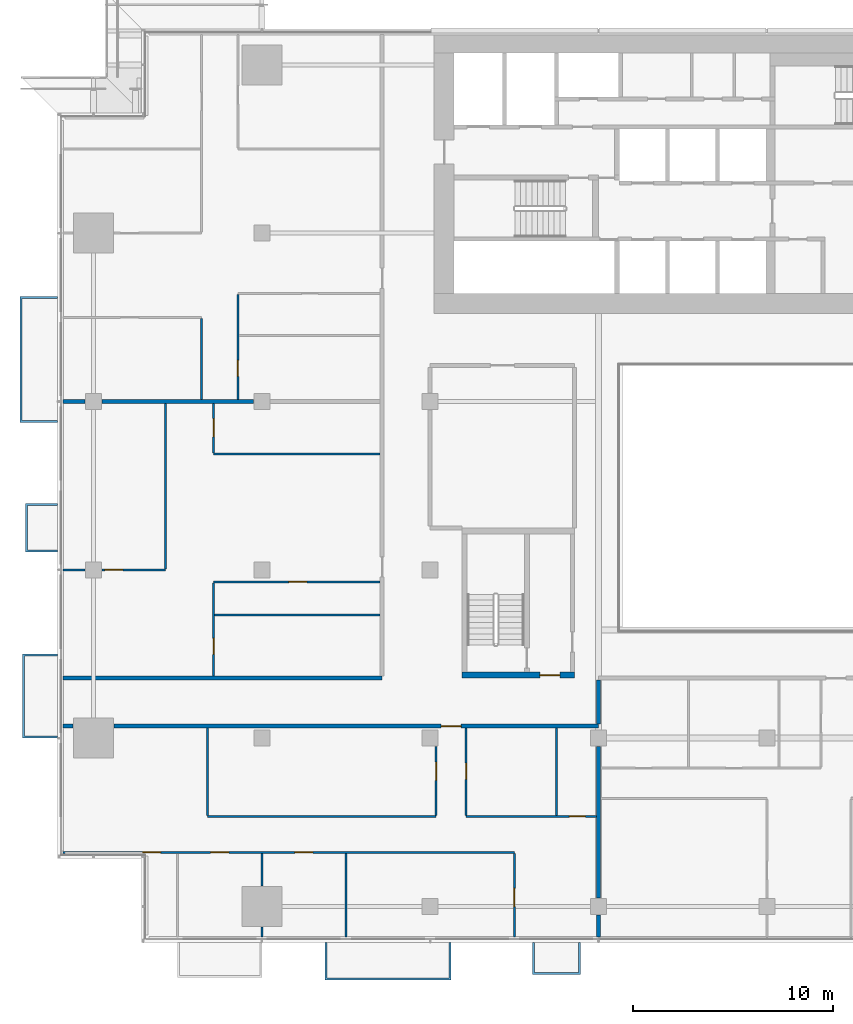
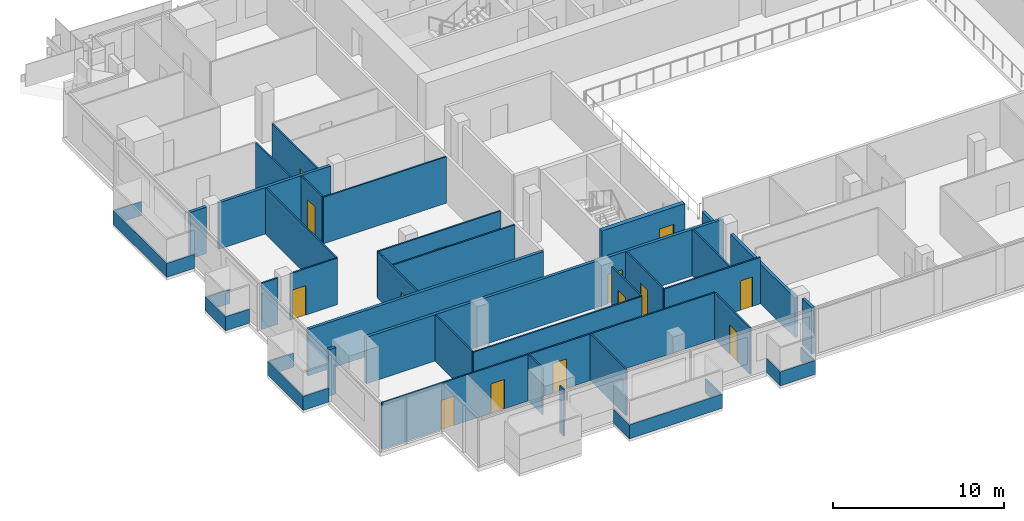
# One storey, part 17 of 29: 35 walls, 14 doors, 14 openings.
"""IFC4 building model written with IfcOpenShell, lengths in metres."""

from ifc_helpers import new_model, si_unit, direction, frame, frame_2d, origin, place, context, subcontext, project, spatial, polyline, rectangle, outline, extrude, material, layer, layer_set, type_object, element, fill, save


model = new_model("IFC4")

# Units and contexts
model_context = context("Model", 3, precision=1e-05, world=origin(), true_north=direction((0.0, 1.0)))
body_context = subcontext(model_context, "Body", "Model", "MODEL_VIEW")
ifc_project = project(units=[si_unit("LENGTHUNIT", "METRE"), si_unit("AREAUNIT", "SQUARE_METRE"), si_unit("VOLUMEUNIT", "CUBIC_METRE"), si_unit("PLANEANGLEUNIT", "RADIAN"), si_unit("MASSUNIT", "GRAM", prefix="KILO")], contexts=[model_context])

# Site, building, storey
site_placement = place(None, origin())
site = spatial("IfcSite", under=ifc_project, at=site_placement, CompositionType="ELEMENT")
building_placement = place(site_placement, origin())
building = spatial("IfcBuilding", under=site, at=building_placement, Name="Saffron Gate Tower", CompositionType="ELEMENT")
storey_placement = place(building_placement, frame((0.0, 0.0, 106.050048828125)))
storey = spatial("IfcBuildingStorey", under=building, at=storey_placement, Name="L24", CompositionType="ELEMENT", Elevation=106.050048828125)

# Wall, opening, door
ifc_material_1 = material(Name="Concrete C70", Category="concrete")
ifc_layer_1 = layer(ifc_material_1, 0.300048828125)
ifc_layer_set_1 = layer_set([ifc_layer_1], Name="CW5 RC core wall 300 C70")
wall_type_1 = type_object("IfcWallType", Name="CW5 RC core wall 300 C70", PredefinedType="SOLIDWALL", material=ifc_layer_set_1)
wall_1_placement = place(storey_placement, frame((68.199951171875, 43.35009765625, 0.0), z_axis=(0.0, 0.0, 1.0), x_axis=(1.0, 0.0, 0.0)))
wall_1 = element("IfcWall", 1, at=wall_1_placement, inside=storey, type_object=wall_type_1, Name="Wall CW5-L24-D-1", PredefinedType="SOLIDWALL", context=body_context, shape_type="SweptSolid", body=[
    extrude(rectangle(XDim=5.60009765625, YDim=0.300048828125, at=frame_2d((2.800048828125, 0.0))), origin(), (0.0, 0.0, 1.0), 3.320068359375),
])
opening_1_placement = place(wall_1_placement, frame((3.875, 0.0, 0.0)))
opening_1 = element("IfcOpeningElement", 2, at=opening_1_placement, cuts=wall_1, Name="Opening CR-18", PredefinedType="OPENING", context=body_context, shape_type="SweptSolid", body=[
    extrude(rectangle(XDim=1.0, YDim=2.10009765625, at=frame_2d((0.5, 1.050048828125))), frame((0.0, 0.16015625, 0.0), z_axis=(0.0, -1.0, 0.0), x_axis=(1.0, 0.0, 0.0)), (0.0, 0.0, 1.0), 0.320068359375),
])
ifc_material_2 = material(Name="Steel fire door set", Category="steel")
door_type_1 = type_object("IfcDoorType", Name="CD4 Lobby door 1000x2100 EI 120", OperationType="NOTDEFINED", PredefinedType="DOOR", material=ifc_material_2)
door_1_placement = place(opening_1_placement, origin())
door_1 = element("IfcDoor", 3, at=door_1_placement, inside=storey, type_object=door_type_1, Name="DOOR CR-18", OperationType="SINGLE_SWING_RIGHT", OverallHeight=2.10009765625, OverallWidth=1.0, PredefinedType="DOOR", context=body_context, shape_type="SweptSolid", body=[
    extrude(rectangle(XDim=1.0, YDim=2.10009765625, at=frame_2d((0.5, 1.050048828125))), frame((0.0, 0.02490234375, 0.0), z_axis=(0.0, -1.0, 0.0), x_axis=(1.0, 0.0, 0.0)), (0.0, 0.0, 1.0), 0.050048828125),
])
fill(opening_1, door_1)

# Wall, openings, doors
ifc_material_3 = material(Name="Plasterboard on steel studs", Category="steel")
ifc_layer_2 = layer(ifc_material_3, 0.10009765625)
ifc_layer_set_2 = layer_set([ifc_layer_2], Name="PW1 Partition 100")
wall_type_2 = type_object("IfcWallType", Name="PW1 Partition 100", PredefinedType="PARTITIONING", material=ifc_layer_set_2)
wall_2_placement = place(storey_placement, frame((70.800048828125, 34.5, 0.0), z_axis=(0.0, 0.0, 1.0), x_axis=(-1.0, 0.0, 0.0)))
wall_2 = element("IfcWall", 4, at=wall_2_placement, inside=storey, type_object=wall_type_2, Name="Partition B2-1", PredefinedType="PARTITIONING", context=body_context, shape_type="SweptSolid", body=[
    extrude(rectangle(XDim=22.52001953125, YDim=0.10009765625, at=frame_2d((11.260009765625, 0.0))), origin(), (0.0, 0.0, 1.0), 3.320068359375),
])
opening_2_placement = place(wall_2_placement, frame((10.050048828125, 0.0, 0.0)))
opening_2 = element("IfcOpeningElement", 5, at=opening_2_placement, cuts=wall_2, Name="Opening B2-10", PredefinedType="OPENING", context=body_context, shape_type="SweptSolid", body=[
    extrude(rectangle(XDim=0.89990234375, YDim=2.10009765625, at=frame_2d((0.449951171875, 1.050048828125))), frame((0.0, 0.06005859375, 0.0), z_axis=(0.0, -1.0, 0.0), x_axis=(1.0, 0.0, 0.0)), (0.0, 0.0, 1.0), 0.1201171875),
])
opening_3_placement = place(wall_2_placement, frame((14.25, 0.0, 0.0)))
opening_3 = element("IfcOpeningElement", 6, at=opening_3_placement, cuts=wall_2, Name="Opening B2-9", PredefinedType="OPENING", context=body_context, shape_type="SweptSolid", body=[
    extrude(rectangle(XDim=0.89990234375, YDim=2.10009765625, at=frame_2d((0.449951171875, 1.050048828125))), frame((0.0, 0.06005859375, 0.0), z_axis=(0.0, -1.0, 0.0), x_axis=(1.0, 0.0, 0.0)), (0.0, 0.0, 1.0), 0.1201171875),
])
opening_4_placement = place(wall_2_placement, frame((17.65380859375, 0.0, 0.0)))
opening_4 = element("IfcOpeningElement", 7, at=opening_4_placement, cuts=wall_2, Name="Opening B2-8", PredefinedType="OPENING", context=body_context, shape_type="SweptSolid", body=[
    extrude(rectangle(XDim=0.89990234375, YDim=2.10009765625, at=frame_2d((0.449951171875, 1.050048828125))), frame((0.0, 0.06005859375, 0.0), z_axis=(0.0, -1.0, 0.0), x_axis=(1.0, 0.0, 0.0)), (0.0, 0.0, 1.0), 0.1201171875),
])
ifc_material_4 = material(Name="Timber door set", Category="wood")
door_type_2 = type_object("IfcDoorType", Name="RD1 Room door 900x2100", OperationType="NOTDEFINED", PredefinedType="DOOR", material=ifc_material_4)
door_2_placement = place(opening_2_placement, origin())
door_2 = element("IfcDoor", 8, at=door_2_placement, inside=storey, type_object=door_type_2, Name="Door B2-10", OperationType="SINGLE_SWING_RIGHT", OverallHeight=2.10009765625, OverallWidth=0.89990234375, PredefinedType="DOOR", context=body_context, shape_type="SweptSolid", body=[
    extrude(rectangle(XDim=0.89990234375, YDim=2.10009765625, at=frame_2d((0.449951171875, 1.050048828125))), frame((0.0, 0.02490234375, 0.0), z_axis=(0.0, -1.0, 0.0), x_axis=(1.0, 0.0, 0.0)), (0.0, 0.0, 1.0), 0.050048828125),
])
fill(opening_2, door_2)
door_3_placement = place(opening_3_placement, origin())
door_3 = element("IfcDoor", 9, at=door_3_placement, inside=storey, type_object=door_type_2, Name="Door B2-9", OperationType="SINGLE_SWING_RIGHT", OverallHeight=2.10009765625, OverallWidth=0.89990234375, PredefinedType="DOOR", context=body_context, shape_type="SweptSolid", body=[
    extrude(rectangle(XDim=0.89990234375, YDim=2.10009765625, at=frame_2d((0.449951171875, 1.050048828125))), frame((0.0, 0.02490234375, 0.0), z_axis=(0.0, -1.0, 0.0), x_axis=(1.0, 0.0, 0.0)), (0.0, 0.0, 1.0), 0.050048828125),
])
fill(opening_3, door_3)
door_4_placement = place(opening_4_placement, origin())
door_4 = element("IfcDoor", 10, at=door_4_placement, inside=storey, type_object=door_type_2, Name="Door B2-8", OperationType="SINGLE_SWING_LEFT", OverallHeight=2.10009765625, OverallWidth=0.89990234375, PredefinedType="DOOR", context=body_context, shape_type="SweptSolid", body=[
    extrude(rectangle(XDim=0.89990234375, YDim=2.10009765625, at=frame_2d((0.449951171875, 1.050048828125))), frame((0.0, 0.02490234375, 0.0), z_axis=(0.0, -1.0, 0.0), x_axis=(1.0, 0.0, 0.0)), (0.0, 0.0, 1.0), 0.050048828125),
])
fill(opening_4, door_4)

# Wall
wall_3_placement = place(storey_placement, frame((55.5, 36.300048828125, 0.0), z_axis=(0.0, 0.0, 1.0), x_axis=(1.0, 0.0, 0.0)))
element("IfcWall", 11, at=wall_3_placement, inside=storey, type_object=wall_type_2, Name="Partition B2-3", PredefinedType="PARTITIONING", context=body_context, shape_type="SweptSolid", body=[
    extrude(rectangle(XDim=11.39990234375, YDim=0.10009765625, at=frame_2d((5.699951171875, 0.0))), origin(), (0.0, 0.0, 1.0), 3.320068359375),
])

# Wall, opening, door
wall_4_placement = place(storey_placement, frame((68.39990234375, 36.300048828125, 0.0), z_axis=(0.0, 0.0, 1.0), x_axis=(1.0, 0.0, 0.0)))
wall_4 = element("IfcWall", 12, at=wall_4_placement, inside=storey, type_object=wall_type_2, Name="Partition B2-4", PredefinedType="PARTITIONING", context=body_context, shape_type="SweptSolid", body=[
    extrude(rectangle(XDim=6.5, YDim=0.10009765625, at=frame_2d((3.25, 0.0))), origin(), (0.0, 0.0, 1.0), 3.320068359375),
])
opening_5_placement = place(wall_4_placement, frame((5.14990234375, 0.0, 0.0)))
opening_5 = element("IfcOpeningElement", 13, at=opening_5_placement, cuts=wall_4, Name="Opening B2-37", PredefinedType="OPENING", context=body_context, shape_type="SweptSolid", body=[
    extrude(rectangle(XDim=0.800048828125, YDim=2.10009765625, at=frame_2d((0.39990234375, 1.050048828125))), frame((0.0, 0.06005859375, 0.0), z_axis=(0.0, -1.0, 0.0), x_axis=(1.0, 0.0, 0.0)), (0.0, 0.0, 1.0), 0.1201171875),
])
door_type_3 = type_object("IfcDoorType", Name="RD2 Bathroom door 800x2100", OperationType="NOTDEFINED", PredefinedType="DOOR", material=ifc_material_4)
door_5_placement = place(opening_5_placement, origin())
door_5 = element("IfcDoor", 14, at=door_5_placement, inside=storey, type_object=door_type_3, Name="Door B2-37", OperationType="SINGLE_SWING_RIGHT", OverallHeight=2.10009765625, OverallWidth=0.800048828125, PredefinedType="DOOR", context=body_context, shape_type="SweptSolid", body=[
    extrude(rectangle(XDim=0.800048828125, YDim=2.10009765625, at=frame_2d((0.39990234375, 1.050048828125))), frame((0.0, 0.02490234375, 0.0), z_axis=(0.0, -1.0, 0.0), x_axis=(1.0, 0.0, 0.0)), (0.0, 0.0, 1.0), 0.050048828125),
])
fill(opening_5, door_5)

# Wall
wall_5_placement = place(storey_placement, frame((55.85009765625, 46.354736328125, 0.0), z_axis=(0.0, 0.0, 1.0), x_axis=(1.0, 0.0, 0.0)))
element("IfcWall", 15, at=wall_5_placement, inside=storey, type_object=wall_type_2, Name="Partition B2-16", PredefinedType="PARTITIONING", context=body_context, shape_type="SweptSolid", body=[
    extrude(rectangle(XDim=8.25, YDim=0.10009765625, at=frame_2d((4.125, 0.0))), origin(), (0.0, 0.0, 1.0), 3.320068359375),
])

# Wall, opening, door
wall_6_placement = place(storey_placement, frame((64.10009765625, 48.0, 0.0), z_axis=(0.0, 0.0, 1.0), x_axis=(-1.0, 0.0, 0.0)))
wall_6 = element("IfcWall", 16, at=wall_6_placement, inside=storey, type_object=wall_type_2, Name="Partition B2-18", PredefinedType="PARTITIONING", context=body_context, shape_type="SweptSolid", body=[
    extrude(rectangle(XDim=8.300048828125, YDim=0.10009765625, at=frame_2d((4.14990234375, 0.0))), origin(), (0.0, 0.0, 1.0), 3.320068359375),
])
opening_6_placement = place(wall_6_placement, frame((3.64990234375, 0.0, 0.0)))
opening_6 = element("IfcOpeningElement", 17, at=opening_6_placement, cuts=wall_6, Name="Opening B2-25", PredefinedType="OPENING", context=body_context, shape_type="SweptSolid", body=[
    extrude(rectangle(XDim=0.89990234375, YDim=2.10009765625, at=frame_2d((0.449951171875, 1.050048828125))), frame((0.0, 0.06005859375, 0.0), z_axis=(0.0, -1.0, 0.0), x_axis=(1.0, 0.0, 0.0)), (0.0, 0.0, 1.0), 0.1201171875),
])
door_6_placement = place(opening_6_placement, origin())
door_6 = element("IfcDoor", 18, at=door_6_placement, inside=storey, type_object=door_type_2, Name="Door B2-25", OperationType="SINGLE_SWING_LEFT", OverallHeight=2.10009765625, OverallWidth=0.89990234375, PredefinedType="DOOR", context=body_context, shape_type="SweptSolid", body=[
    extrude(rectangle(XDim=0.89990234375, YDim=2.10009765625, at=frame_2d((0.449951171875, 1.050048828125))), frame((0.0, 0.02490234375, 0.0), z_axis=(0.0, -1.0, 0.0), x_axis=(1.0, 0.0, 0.0)), (0.0, 0.0, 1.0), 0.050048828125),
])
fill(opening_6, door_6)

# Wall
wall_7_placement = place(storey_placement, frame((48.280029296875, 48.60009765625, 0.0), z_axis=(0.0, 0.0, 1.0), x_axis=(1.0, 0.0, 0.0)))
element("IfcWall", 19, at=wall_7_placement, inside=storey, type_object=wall_type_2, Name="Partition B2-19", PredefinedType="PARTITIONING", context=body_context, shape_type="SweptSolid", body=[
    extrude(rectangle(XDim=1.099853515625, YDim=0.10009765625, at=frame_2d((0.5498046875, 0.0))), origin(), (0.0, 0.0, 1.0), 3.320068359375),
])

# Wall, opening, door
wall_8_placement = place(storey_placement, frame((50.219970703125, 48.60009765625, 0.0), z_axis=(0.0, 0.0, 1.0), x_axis=(1.0, 0.0, 0.0)))
wall_8 = element("IfcWall", 20, at=wall_8_placement, inside=storey, type_object=wall_type_2, Name="Partition B2-20", PredefinedType="PARTITIONING", context=body_context, shape_type="SweptSolid", body=[
    extrude(rectangle(XDim=3.179931640625, YDim=0.10009765625, at=frame_2d((1.58984375, 0.0))), origin(), (0.0, 0.0, 1.0), 3.320068359375),
])
opening_7_placement = place(wall_8_placement, frame((0.14990234375, 0.0, 0.0)))
opening_7 = element("IfcOpeningElement", 21, at=opening_7_placement, cuts=wall_8, Name="Opening B2-23", PredefinedType="OPENING", context=body_context, shape_type="SweptSolid", body=[
    extrude(rectangle(XDim=0.89990234375, YDim=2.10009765625, at=frame_2d((0.449951171875, 1.050048828125))), frame((0.0, 0.06005859375, 0.0), z_axis=(0.0, -1.0, 0.0), x_axis=(1.0, 0.0, 0.0)), (0.0, 0.0, 1.0), 0.1201171875),
])
door_7_placement = place(opening_7_placement, origin())
door_7 = element("IfcDoor", 22, at=door_7_placement, inside=storey, type_object=door_type_2, Name="Door B2-23", OperationType="SINGLE_SWING_LEFT", OverallHeight=2.10009765625, OverallWidth=0.89990234375, PredefinedType="DOOR", context=body_context, shape_type="SweptSolid", body=[
    extrude(rectangle(XDim=0.89990234375, YDim=2.10009765625, at=frame_2d((0.449951171875, 1.050048828125))), frame((0.0, 0.02490234375, 0.0), z_axis=(0.0, -1.0, 0.0), x_axis=(1.0, 0.0, 0.0)), (0.0, 0.0, 1.0), 0.050048828125),
])
fill(opening_7, door_7)

# Walls
wall_9_placement = place(storey_placement, frame((55.800048828125, 54.381103515625, 0.0), z_axis=(0.0, 0.0, 1.0), x_axis=(1.0, 0.0, 0.0)))
element("IfcWall", 23, at=wall_9_placement, inside=storey, type_object=wall_type_2, Name="Partition B2-27", PredefinedType="PARTITIONING", context=body_context, shape_type="SweptSolid", body=[
    extrude(rectangle(XDim=8.300048828125, YDim=0.10009765625, at=frame_2d((4.14990234375, 0.0))), origin(), (0.0, 0.0, 1.0), 3.320068359375),
])
wall_10_placement = place(storey_placement, frame((53.39990234375, 56.89990234375, 0.0), z_axis=(0.0, 0.0, 1.0), x_axis=(0.0, -1.0, 0.0)))
element("IfcWall", 24, at=wall_10_placement, inside=storey, type_object=wall_type_2, Name="Partition B2-49", PredefinedType="PARTITIONING", context=body_context, shape_type="SweptSolid", body=[
    extrude(rectangle(XDim=8.25, YDim=0.10009765625, at=frame_2d((4.125, 0.0))), origin(), (0.0, 0.0, 1.0), 3.320068359375),
])
wall_11_placement = place(storey_placement, frame((55.199951171875, 61.14990234375, 0.0), z_axis=(0.0, 0.0, 1.0), x_axis=(0.0, -1.0, 0.0)))
element("IfcWall", 25, at=wall_11_placement, inside=storey, type_object=wall_type_2, Name="Partition B2-51", PredefinedType="PARTITIONING", context=body_context, shape_type="SweptSolid", body=[
    extrude(rectangle(XDim=4.0498046875, YDim=0.10009765625, at=frame_2d((2.02490234375, 0.0))), origin(), (0.0, 0.0, 1.0), 3.320068359375),
])
wall_12_placement = place(storey_placement, frame((55.5, 40.699951171875, 0.0), z_axis=(0.0, 0.0, 1.0), x_axis=(0.0, -1.0, 0.0)))
element("IfcWall", 26, at=wall_12_placement, inside=storey, type_object=wall_type_2, Name="Partition B2-53", PredefinedType="PARTITIONING", context=body_context, shape_type="SweptSolid", body=[
    extrude(rectangle(XDim=4.349853515625, YDim=0.10009765625, at=frame_2d((2.1748046875, 0.0))), origin(), (0.0, 0.0, 1.0), 3.320068359375),
])

# Wall, opening, door
wall_13_placement = place(storey_placement, frame((55.800048828125, 47.949951171875, 0.0), z_axis=(0.0, 0.0, 1.0), x_axis=(0.0, -1.0, 0.0)))
wall_13 = element("IfcWall", 27, at=wall_13_placement, inside=storey, type_object=wall_type_2, Name="Partition B2-54", PredefinedType="PARTITIONING", context=body_context, shape_type="SweptSolid", body=[
    extrude(rectangle(XDim=4.64990234375, YDim=0.10009765625, at=frame_2d((2.324951171875, 0.0))), origin(), (0.0, 0.0, 1.0), 3.320068359375),
])
opening_8_placement = place(wall_13_placement, frame((2.772705078125, 0.0, 0.0)))
opening_8 = element("IfcOpeningElement", 28, at=opening_8_placement, cuts=wall_13, Name="Opening B2-42", PredefinedType="OPENING", context=body_context, shape_type="SweptSolid", body=[
    extrude(rectangle(XDim=0.800048828125, YDim=2.10009765625, at=frame_2d((0.39990234375, 1.050048828125))), frame((0.0, 0.06005859375, 0.0), z_axis=(0.0, -1.0, 0.0), x_axis=(1.0, 0.0, 0.0)), (0.0, 0.0, 1.0), 0.1201171875),
])
door_8_placement = place(opening_8_placement, origin())
door_8 = element("IfcDoor", 29, at=door_8_placement, inside=storey, type_object=door_type_3, Name="Door B2-42", OperationType="SINGLE_SWING_RIGHT", OverallHeight=2.10009765625, OverallWidth=0.800048828125, PredefinedType="DOOR", context=body_context, shape_type="SweptSolid", body=[
    extrude(rectangle(XDim=0.800048828125, YDim=2.10009765625, at=frame_2d((0.39990234375, 1.050048828125))), frame((0.0, 0.02490234375, 0.0), z_axis=(0.0, -1.0, 0.0), x_axis=(1.0, 0.0, 0.0)), (0.0, 0.0, 1.0), 0.050048828125),
])
fill(opening_8, door_8)

wall_14_placement = place(storey_placement, frame((55.800048828125, 56.89990234375, 0.0), z_axis=(0.0, 0.0, 1.0), x_axis=(0.0, -1.0, 0.0)))
wall_14 = element("IfcWall", 30, at=wall_14_placement, inside=storey, type_object=wall_type_2, Name="Partition B2-55", PredefinedType="PARTITIONING", context=body_context, shape_type="SweptSolid", body=[
    extrude(rectangle(XDim=2.468994140625, YDim=0.10009765625, at=frame_2d((1.234375, 0.0))), origin(), (0.0, 0.0, 1.0), 3.320068359375),
])
opening_9_placement = place(wall_14_placement, frame((0.759521484375, 0.0, 0.0)))
opening_9 = element("IfcOpeningElement", 31, at=opening_9_placement, cuts=wall_14, Name="Opening B2-24", PredefinedType="OPENING", context=body_context, shape_type="SweptSolid", body=[
    extrude(rectangle(XDim=0.89990234375, YDim=2.10009765625, at=frame_2d((0.449951171875, 1.050048828125))), frame((0.0, 0.06005859375, 0.0), z_axis=(0.0, -1.0, 0.0), x_axis=(1.0, 0.0, 0.0)), (0.0, 0.0, 1.0), 0.1201171875),
])
door_9_placement = place(opening_9_placement, origin())
door_9 = element("IfcDoor", 32, at=door_9_placement, inside=storey, type_object=door_type_2, Name="Door B2-24", OperationType="SINGLE_SWING_LEFT", OverallHeight=2.10009765625, OverallWidth=0.89990234375, PredefinedType="DOOR", context=body_context, shape_type="SweptSolid", body=[
    extrude(rectangle(XDim=0.89990234375, YDim=2.10009765625, at=frame_2d((0.449951171875, 1.050048828125))), frame((0.0, 0.02490234375, 0.0), z_axis=(0.0, -1.0, 0.0), x_axis=(1.0, 0.0, 0.0)), (0.0, 0.0, 1.0), 0.050048828125),
])
fill(opening_9, door_9)

wall_15_placement = place(storey_placement, frame((57.0, 62.35009765625, 0.0), z_axis=(0.0, 0.0, 1.0), x_axis=(0.0, -1.0, 0.0)))
wall_15 = element("IfcWall", 33, at=wall_15_placement, inside=storey, type_object=wall_type_2, Name="Partition B2-56", PredefinedType="PARTITIONING", context=body_context, shape_type="SweptSolid", body=[
    extrude(rectangle(XDim=5.25, YDim=0.10009765625, at=frame_2d((2.625, 0.0))), origin(), (0.0, 0.0, 1.0), 3.320068359375),
])
opening_10_placement = place(wall_15_placement, frame((3.300048828125, 0.0, 0.0)))
opening_10 = element("IfcOpeningElement", 34, at=opening_10_placement, cuts=wall_15, Name="Opening B2-43", PredefinedType="OPENING", context=body_context, shape_type="SweptSolid", body=[
    extrude(rectangle(XDim=0.800048828125, YDim=2.10009765625, at=frame_2d((0.39990234375, 1.050048828125))), frame((0.0, 0.06005859375, 0.0), z_axis=(0.0, -1.0, 0.0), x_axis=(1.0, 0.0, 0.0)), (0.0, 0.0, 1.0), 0.1201171875),
])
door_10_placement = place(opening_10_placement, origin())
door_10 = element("IfcDoor", 35, at=door_10_placement, inside=storey, type_object=door_type_3, Name="Door B2-43", OperationType="SINGLE_SWING_RIGHT", OverallHeight=2.10009765625, OverallWidth=0.800048828125, PredefinedType="DOOR", context=body_context, shape_type="SweptSolid", body=[
    extrude(rectangle(XDim=0.800048828125, YDim=2.10009765625, at=frame_2d((0.39990234375, 1.050048828125))), frame((0.0, 0.02490234375, 0.0), z_axis=(0.0, -1.0, 0.0), x_axis=(1.0, 0.0, 0.0)), (0.0, 0.0, 1.0), 0.050048828125),
])
fill(opening_10, door_10)

# Walls
wall_16_placement = place(storey_placement, frame((58.199951171875, 30.780029296875, 0.0), z_axis=(0.0, 0.0, 1.0), x_axis=(0.0, -1.0, 0.0)))
element("IfcWall", 36, at=wall_16_placement, inside=storey, type_object=wall_type_2, Name="Partition B2-58", PredefinedType="PARTITIONING", context=body_context, shape_type="SweptSolid", body=[
    extrude(rectangle(XDim=0.5, YDim=0.10009765625, at=frame_2d((0.25, 0.0))), origin(), (0.0, 0.0, 1.0), 3.320068359375),
])
wall_17_placement = place(storey_placement, frame((58.199951171875, 34.449951171875, 0.0), z_axis=(0.0, 0.0, 1.0), x_axis=(0.0, -1.0, 0.0)))
element("IfcWall", 37, at=wall_17_placement, inside=storey, type_object=wall_type_2, Name="Partition B2-59", PredefinedType="PARTITIONING", context=body_context, shape_type="SweptSolid", body=[
    extrude(rectangle(XDim=1.6298828125, YDim=0.10009765625, at=frame_2d((0.81494140625, 0.0))), origin(), (0.0, 0.0, 1.0), 3.320068359375),
])
wall_18_placement = place(storey_placement, frame((62.39990234375, 34.449951171875, 0.0), z_axis=(0.0, 0.0, 1.0), x_axis=(0.0, -1.0, 0.0)))
element("IfcWall", 38, at=wall_18_placement, inside=storey, type_object=wall_type_2, Name="Partition B2-60", PredefinedType="PARTITIONING", context=body_context, shape_type="SweptSolid", body=[
    extrude(rectangle(XDim=4.169921875, YDim=0.10009765625, at=frame_2d((2.0849609375, 0.0))), origin(), (0.0, 0.0, 1.0), 3.320068359375),
])

# Wall, opening, door
wall_19_placement = place(storey_placement, frame((66.89990234375, 36.35009765625, 0.0), z_axis=(0.0, 0.0, 1.0), x_axis=(0.0, 1.0, 0.0)))
wall_19 = element("IfcWall", 39, at=wall_19_placement, inside=storey, type_object=wall_type_2, Name="Partition B2-64", PredefinedType="PARTITIONING", context=body_context, shape_type="SweptSolid", body=[
    extrude(rectangle(XDim=3.429931640625, YDim=0.10009765625, at=frame_2d((1.71484375, 0.0))), origin(), (0.0, 0.0, 1.0), 3.320068359375),
])
opening_11_placement = place(wall_19_placement, frame((1.75, 0.0, 0.0)))
opening_11 = element("IfcOpeningElement", 40, at=opening_11_placement, cuts=wall_19, Name="Opening B2-12", PredefinedType="OPENING", context=body_context, shape_type="SweptSolid", body=[
    extrude(rectangle(XDim=0.89990234375, YDim=2.10009765625, at=frame_2d((0.449951171875, 1.050048828125))), frame((0.0, 0.06005859375, 0.0), z_axis=(0.0, -1.0, 0.0), x_axis=(1.0, 0.0, 0.0)), (0.0, 0.0, 1.0), 0.1201171875),
])
door_11_placement = place(opening_11_placement, origin())
door_11 = element("IfcDoor", 41, at=door_11_placement, inside=storey, type_object=door_type_2, Name="Door B2-12", OperationType="SINGLE_SWING_RIGHT", OverallHeight=2.10009765625, OverallWidth=0.89990234375, PredefinedType="DOOR", context=body_context, shape_type="SweptSolid", body=[
    extrude(rectangle(XDim=0.89990234375, YDim=2.10009765625, at=frame_2d((0.449951171875, 1.050048828125))), frame((0.0, 0.02490234375, 0.0), z_axis=(0.0, -1.0, 0.0), x_axis=(1.0, 0.0, 0.0)), (0.0, 0.0, 1.0), 0.050048828125),
])
fill(opening_11, door_11)

wall_20_placement = place(storey_placement, frame((68.39990234375, 40.699951171875, 0.0), z_axis=(0.0, 0.0, 1.0), x_axis=(0.0, -1.0, 0.0)))
wall_20 = element("IfcWall", 42, at=wall_20_placement, inside=storey, type_object=wall_type_2, Name="Partition B2-65", PredefinedType="PARTITIONING", context=body_context, shape_type="SweptSolid", body=[
    extrude(rectangle(XDim=4.349853515625, YDim=0.10009765625, at=frame_2d((2.1748046875, 0.0))), origin(), (0.0, 0.0, 1.0), 3.320068359375),
])
opening_12_placement = place(wall_20_placement, frame((1.75, 0.0, 0.0)))
opening_12 = element("IfcOpeningElement", 43, at=opening_12_placement, cuts=wall_20, Name="Opening B2-36", PredefinedType="OPENING", context=body_context, shape_type="SweptSolid", body=[
    extrude(rectangle(XDim=0.800048828125, YDim=2.10009765625, at=frame_2d((0.39990234375, 1.050048828125))), frame((0.0, 0.06005859375, 0.0), z_axis=(0.0, -1.0, 0.0), x_axis=(1.0, 0.0, 0.0)), (0.0, 0.0, 1.0), 0.1201171875),
])
door_12_placement = place(opening_12_placement, origin())
door_12 = element("IfcDoor", 44, at=door_12_placement, inside=storey, type_object=door_type_3, Name="Door B2-36", OperationType="SINGLE_SWING_LEFT", OverallHeight=2.10009765625, OverallWidth=0.800048828125, PredefinedType="DOOR", context=body_context, shape_type="SweptSolid", body=[
    extrude(rectangle(XDim=0.800048828125, YDim=2.10009765625, at=frame_2d((0.39990234375, 1.050048828125))), frame((0.0, 0.02490234375, 0.0), z_axis=(0.0, -1.0, 0.0), x_axis=(1.0, 0.0, 0.0)), (0.0, 0.0, 1.0), 0.050048828125),
])
fill(opening_12, door_12)

wall_21_placement = place(storey_placement, frame((70.800048828125, 30.280029296875, 0.0), z_axis=(0.0, 0.0, 1.0), x_axis=(0.0, 1.0, 0.0)))
wall_21 = element("IfcWall", 45, at=wall_21_placement, inside=storey, type_object=wall_type_2, Name="Partition B2-66", PredefinedType="PARTITIONING", context=body_context, shape_type="SweptSolid", body=[
    extrude(rectangle(XDim=4.169921875, YDim=0.10009765625, at=frame_2d((2.0849609375, 0.0))), origin(), (0.0, 0.0, 1.0), 3.320068359375),
])
opening_13_placement = place(wall_21_placement, frame((1.52001953125, 0.0, 0.0)))
opening_13 = element("IfcOpeningElement", 46, at=opening_13_placement, cuts=wall_21, Name="Opening B2-11", PredefinedType="OPENING", context=body_context, shape_type="SweptSolid", body=[
    extrude(rectangle(XDim=0.89990234375, YDim=2.10009765625, at=frame_2d((0.449951171875, 1.050048828125))), frame((0.0, 0.06005859375, 0.0), z_axis=(0.0, -1.0, 0.0), x_axis=(1.0, 0.0, 0.0)), (0.0, 0.0, 1.0), 0.1201171875),
])
door_13_placement = place(opening_13_placement, origin())
door_13 = element("IfcDoor", 47, at=door_13_placement, inside=storey, type_object=door_type_2, Name="Door B2-11", OperationType="SINGLE_SWING_LEFT", OverallHeight=2.10009765625, OverallWidth=0.89990234375, PredefinedType="DOOR", context=body_context, shape_type="SweptSolid", body=[
    extrude(rectangle(XDim=0.89990234375, YDim=2.10009765625, at=frame_2d((0.449951171875, 1.050048828125))), frame((0.0, 0.02490234375, 0.0), z_axis=(0.0, -1.0, 0.0), x_axis=(1.0, 0.0, 0.0)), (0.0, 0.0, 1.0), 0.050048828125),
])
fill(opening_13, door_13)

# Walls
wall_22_placement = place(storey_placement, frame((72.89990234375, 40.699951171875, 0.0), z_axis=(0.0, 0.0, 1.0), x_axis=(0.0, -1.0, 0.0)))
element("IfcWall", 48, at=wall_22_placement, inside=storey, type_object=wall_type_2, Name="Partition B2-67", PredefinedType="PARTITIONING", context=body_context, shape_type="SweptSolid", body=[
    extrude(rectangle(XDim=4.349853515625, YDim=0.10009765625, at=frame_2d((2.1748046875, 0.0))), origin(), (0.0, 0.0, 1.0), 3.320068359375),
])
ifc_material_5 = material(Name="Clay brick masonry, rendered", Category="masonry")
ifc_layer_3 = layer(ifc_material_5, 0.199951171875)
ifc_layer_set_3 = layer_set([ifc_layer_3], Name="PW2 Demising wall 200")
wall_type_3 = type_object("IfcWallType", Name="PW2 Demising wall 200", PredefinedType="PARTITIONING", material=ifc_layer_set_3)
wall_23_placement = place(storey_placement, frame((48.280029296875, 57.0, 0.0), z_axis=(0.0, 0.0, 1.0), x_axis=(1.0, 0.0, 0.0)))
element("IfcWall", 49, at=wall_23_placement, inside=storey, type_object=wall_type_3, Name="Wall B2-29", PredefinedType="PARTITIONING", context=body_context, shape_type="SweptSolid", body=[
    extrude(rectangle(XDim=1.099853515625, YDim=0.199951171875, at=frame_2d((0.5498046875, 0.0))), origin(), (0.0, 0.0, 1.0), 3.320068359375),
])
wall_24_placement = place(storey_placement, frame((50.219970703125, 57.0, 0.0), z_axis=(0.0, 0.0, 1.0), x_axis=(1.0, 0.0, 0.0)))
element("IfcWall", 50, at=wall_24_placement, inside=storey, type_object=wall_type_3, Name="Wall B2-30", PredefinedType="PARTITIONING", context=body_context, shape_type="SweptSolid", body=[
    extrude(rectangle(XDim=7.56005859375, YDim=0.199951171875, at=frame_2d((3.780029296875, 0.0))), origin(), (0.0, 0.0, 1.0), 3.320068359375),
])
wall_25_placement = place(storey_placement, frame((75.0, 31.3798828125, 0.0), z_axis=(0.0, 0.0, 1.0), x_axis=(0.0, -1.0, 0.0)))
element("IfcWall", 51, at=wall_25_placement, inside=storey, type_object=wall_type_3, Name="Wall B2-70", PredefinedType="PARTITIONING", context=body_context, shape_type="SweptSolid", body=[
    extrude(rectangle(XDim=1.099853515625, YDim=0.199951171875, at=frame_2d((0.5498046875, 0.0))), origin(), (0.0, 0.0, 1.0), 3.320068359375),
])
wall_26_placement = place(storey_placement, frame((75.0, 39.780029296875, 0.0), z_axis=(0.0, 0.0, 1.0), x_axis=(0.0, -1.0, 0.0)))
element("IfcWall", 52, at=wall_26_placement, inside=storey, type_object=wall_type_3, Name="Wall B2-71", PredefinedType="PARTITIONING", context=body_context, shape_type="SweptSolid", body=[
    extrude(rectangle(XDim=7.56005859375, YDim=0.199951171875, at=frame_2d((3.780029296875, 0.0))), origin(), (0.0, 0.0, 1.0), 2.829833984375),
])
ifc_layer_4 = layer(ifc_material_5, 0.199951171875)
ifc_layer_set_4 = layer_set([ifc_layer_4], Name="PW3 Corridor wall 200")
wall_type_4 = type_object("IfcWallType", Name="PW3 Corridor wall 200", PredefinedType="PARTITIONING", material=ifc_layer_set_4)
wall_27_placement = place(storey_placement, frame((48.280029296875, 40.800048828125, 0.0), z_axis=(0.0, 0.0, 1.0), x_axis=(1.0, 0.0, 0.0)))
element("IfcWall", 53, at=wall_27_placement, inside=storey, type_object=wall_type_4, Name="Wall B2-9", PredefinedType="PARTITIONING", context=body_context, shape_type="SweptSolid", body=[
    extrude(rectangle(XDim=0.5, YDim=0.199951171875, at=frame_2d((0.25, 0.0))), origin(), (0.0, 0.0, 1.0), 3.320068359375),
])

# Wall, opening, door
wall_28_placement = place(storey_placement, frame((75.0, 40.800048828125, 0.0), z_axis=(0.0, 0.0, 1.0), x_axis=(-1.0, 0.0, 0.0)))
wall_28 = element("IfcWall", 54, at=wall_28_placement, inside=storey, type_object=wall_type_4, Name="Wall B2-10", PredefinedType="PARTITIONING", context=body_context, shape_type="SweptSolid", body=[
    extrude(rectangle(XDim=24.179931640625, YDim=0.199951171875, at=frame_2d((12.08984375, 0.0))), origin(), (0.0, 0.0, 1.0), 3.320068359375),
])
opening_14_placement = place(wall_28_placement, frame((6.85009765625, 0.0, 0.0)))
opening_14 = element("IfcOpeningElement", 55, at=opening_14_placement, cuts=wall_28, Name="Opening B2-1", PredefinedType="OPENING", context=body_context, shape_type="SweptSolid", body=[
    extrude(rectangle(XDim=1.0, YDim=2.10009765625, at=frame_2d((0.5, 1.050048828125))), frame((0.0, 0.10986328125, 0.0), z_axis=(0.0, -1.0, 0.0), x_axis=(1.0, 0.0, 0.0)), (0.0, 0.0, 1.0), 0.219970703125),
])
ifc_material_6 = material(Name="Timber fire door set", Category="wood")
door_type_4 = type_object("IfcDoorType", Name="FD1 Flat entry door 1000x2100", OperationType="NOTDEFINED", PredefinedType="DOOR", material=ifc_material_6)
door_14_placement = place(opening_14_placement, origin())
door_14 = element("IfcDoor", 56, at=door_14_placement, inside=storey, type_object=door_type_4, Name="Door B2-1", OperationType="SINGLE_SWING_LEFT", OverallHeight=2.10009765625, OverallWidth=1.0, PredefinedType="DOOR", context=body_context, shape_type="SweptSolid", body=[
    extrude(rectangle(XDim=1.0, YDim=2.10009765625, at=frame_2d((0.5, 1.050048828125))), frame((0.0, 0.02490234375, 0.0), z_axis=(0.0, -1.0, 0.0), x_axis=(1.0, 0.0, 0.0)), (0.0, 0.0, 1.0), 0.050048828125),
])
fill(opening_14, door_14)

# Walls
wall_29_placement = place(storey_placement, frame((48.280029296875, 43.199951171875, 0.0), z_axis=(0.0, 0.0, 1.0), x_axis=(1.0, 0.0, 0.0)))
element("IfcWall", 57, at=wall_29_placement, inside=storey, type_object=wall_type_4, Name="Wall B2-13", PredefinedType="PARTITIONING", context=body_context, shape_type="SweptSolid", body=[
    extrude(rectangle(XDim=15.919921875, YDim=0.199951171875, at=frame_2d((7.9599609375, 0.0))), origin(), (0.0, 0.0, 1.0), 3.320068359375),
])
wall_30_placement = place(storey_placement, frame((75.0, 43.10009765625, 0.0), z_axis=(0.0, 0.0, 1.0), x_axis=(0.0, -1.0, 0.0)))
element("IfcWall", 58, at=wall_30_placement, inside=storey, type_object=wall_type_4, Name="Wall B2-69", PredefinedType="PARTITIONING", context=body_context, shape_type="SweptSolid", body=[
    extrude(rectangle(XDim=2.2001953125, YDim=0.199951171875, at=frame_2d((1.10009765625, 0.0))), origin(), (0.0, 0.0, 1.0), 2.429931640625),
])
ifc_material_7 = material(Name="Rendered insulated panel, white")
ifc_layer_5 = layer(ifc_material_7, 0.10009765625)
ifc_layer_set_5 = layer_set([ifc_layer_5], Name="WB3 box parapet white")
wall_type_5 = type_object("IfcWallType", Name="WB3 box parapet white", PredefinedType="SOLIDWALL", material=ifc_layer_set_5)
wall_31_placement = place(storey_placement, origin())
element("IfcWall", 59, at=wall_31_placement, inside=storey, type_object=wall_type_5, Name="WINDOW BOX parapet", PredefinedType="SOLIDWALL", context=body_context, shape_type="SweptSolid", body=[
    extrude(outline(polyline([(61.35009765625, 30.0), (61.449951171875, 30.0), (61.449951171875, 28.23291015625), (67.550048828125, 28.23291015625), (67.550048828125, 30.0), (67.64990234375, 30.0), (67.64990234375, 28.133056640625), (61.35009765625, 28.133056640625), (61.35009765625, 30.0)])), origin(), (0.0, 0.0, 1.0), 1.0),
])
wall_32_placement = place(storey_placement, origin())
element("IfcWall", 60, at=wall_32_placement, inside=storey, type_object=wall_type_5, Name="WINDOW BOX parapet", PredefinedType="SOLIDWALL", context=body_context, shape_type="SweptSolid", body=[
    extrude(outline(polyline([(71.699951171875, 30.0), (71.800048828125, 30.0), (71.800048828125, 28.5), (74.0, 28.5), (74.0, 30.0), (74.10009765625, 30.0), (74.10009765625, 28.39990234375), (71.699951171875, 28.39990234375), (71.699951171875, 30.0)])), origin(), (0.0, 0.0, 1.0), 1.0),
])
wall_33_placement = place(storey_placement, origin())
element("IfcWall", 61, at=wall_33_placement, inside=storey, type_object=wall_type_5, Name="WINDOW BOX parapet", PredefinedType="SOLIDWALL", context=body_context, shape_type="SweptSolid", body=[
    extrude(outline(polyline([(48.0, 62.25), (48.0, 62.14990234375), (46.23291015625, 62.14990234375), (46.23291015625, 56.050048828125), (48.0, 56.050048828125), (48.0, 55.949951171875), (46.133056640625, 55.949951171875), (46.133056640625, 62.25), (48.0, 62.25)])), origin(), (0.0, 0.0, 1.0), 1.0),
])
wall_34_placement = place(storey_placement, origin())
element("IfcWall", 62, at=wall_34_placement, inside=storey, type_object=wall_type_5, Name="WINDOW BOX parapet", PredefinedType="SOLIDWALL", context=body_context, shape_type="SweptSolid", body=[
    extrude(outline(polyline([(48.0, 51.89990234375), (48.0, 51.800048828125), (46.5, 51.800048828125), (46.5, 49.60009765625), (48.0, 49.60009765625), (48.0, 49.5), (46.39990234375, 49.5), (46.39990234375, 51.89990234375), (48.0, 51.89990234375)])), origin(), (0.0, 0.0, 1.0), 1.0),
])
wall_35_placement = place(storey_placement, origin())
element("IfcWall", 63, at=wall_35_placement, inside=storey, type_object=wall_type_5, Name="WINDOW BOX parapet", PredefinedType="SOLIDWALL", context=body_context, shape_type="SweptSolid", body=[
    extrude(outline(polyline([(48.0, 44.39990234375), (48.0, 44.300048828125), (46.366943359375, 44.300048828125), (46.366943359375, 40.300048828125), (48.0, 40.300048828125), (48.0, 40.199951171875), (46.26708984375, 40.199951171875), (46.26708984375, 44.39990234375), (48.0, 44.39990234375)])), origin(), (0.0, 0.0, 1.0), 1.0),
])

save(model, "model.ifc")
